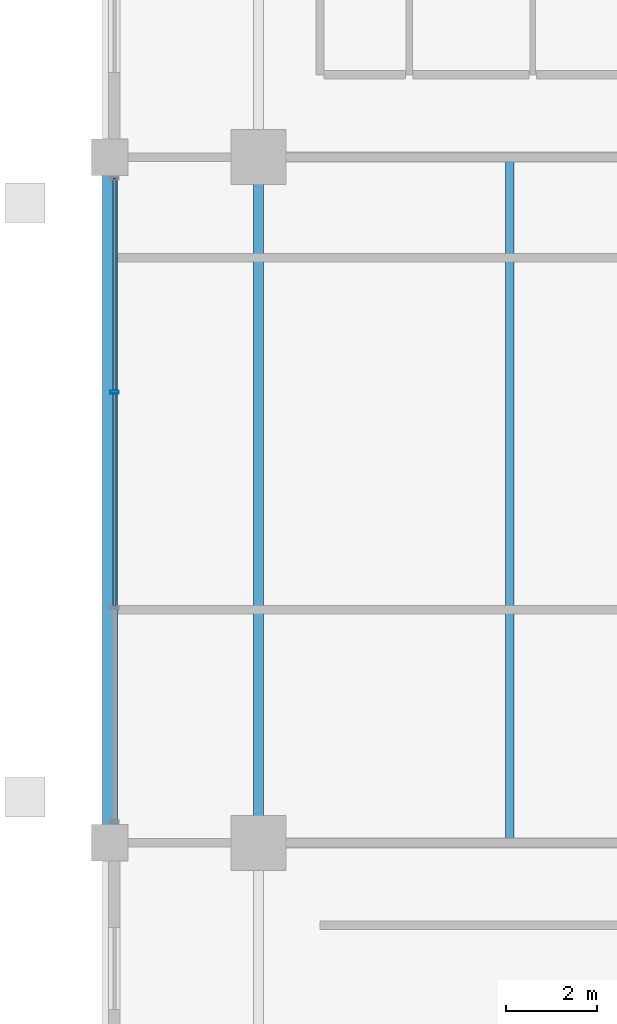
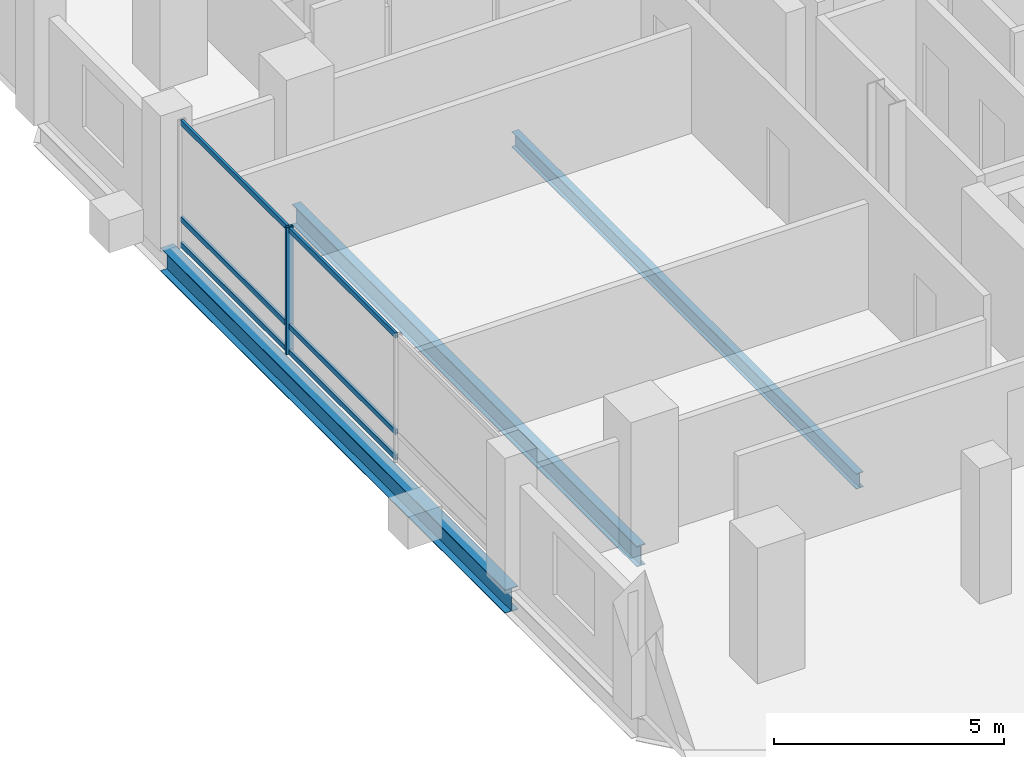
# One storey, part 5 of 19: 7 members, 3 beams, 1 element without a shape of its own.
"""IFC4 building model written with IfcOpenShell, lengths in metres."""

import ifcopenshell
import ifcopenshell.guid

model = None  # the IFC model being written
_history = None  # IfcOwnerHistory: only IFC2X3 demands one
_inside = {}  # id of a spatial element -> (the spatial element, [elements in it])
_under = {}  # id of a project, library or spatial element -> (it, [spatial elements below it])
_declared = {}  # id of a project -> (the project, [libraries it declares])
_typed = {}  # id of a type object -> (the type object, [elements of that type])
_made_of = {}  # id of a material, layer set ... -> (it, [elements and type objects made of it])


def new_model(schema):
    """Start an empty IFC model of exactly this schema.

    Asked for "IFC4X3", IfcOpenShell would pick the latest addendum, in which some entities
    have other attributes; the version numbers below select the first issue.
    IFC2X3 requires an IfcOwnerHistory on every rooted entity: one is made here for all.
    """
    global model, _history
    if schema == "IFC4X3":
        model = ifcopenshell.file(schema_version=(4, 3, 0, 0))
    else:
        model = ifcopenshell.file(schema=schema)
    _inside.clear()
    _under.clear()
    _declared.clear()
    _typed.clear()
    _made_of.clear()
    _history = None
    if model.schema == "IFC2X3":
        org = make("IfcOrganization", Name="unknown")
        user = make(
            "IfcPersonAndOrganization",
            ThePerson=make("IfcPerson", FamilyName="unknown"),
            TheOrganization=org,
        )
        app = make(
            "IfcApplication",
            ApplicationDeveloper=org,
            Version="unknown",
            ApplicationFullName="unknown",
            ApplicationIdentifier="unknown",
        )
        _history = make(
            "IfcOwnerHistory",
            OwningUser=user,
            OwningApplication=app,
            ChangeAction="ADDED",
            CreationDate=0,
        )
    return model


def make(cls, **values):
    """One entity of the class cls with the attributes given. An attribute that is None is left unset."""
    return model.create_entity(
        cls, **{name: value for name, value in values.items() if value is not None}
    )


def rooted(cls, **values):
    """An entity with a GlobalId (a new one), such as an element, a storey or a relation."""
    return make(cls, GlobalId=ifcopenshell.guid.new(), OwnerHistory=_history, **values)


def si_unit(unit_type, name, prefix=None):
    """IfcSIUnit, for example si_unit("LENGTHUNIT", "METRE", prefix="MILLI")."""
    return make("IfcSIUnit", UnitType=unit_type, Prefix=prefix, Name=name)


def assignment(units):
    """IfcUnitAssignment: the units of a project."""
    return None if units is None else make("IfcUnitAssignment", Units=units)


def point(xyz):
    """IfcCartesianPoint."""
    return None if xyz is None else make("IfcCartesianPoint", Coordinates=xyz)


def direction(xyz):
    """IfcDirection."""
    return None if xyz is None else make("IfcDirection", DirectionRatios=xyz)


def frame(location, z_axis=None, x_axis=None):
    """IfcAxis2Placement3D, a coordinate frame: its origin and axes. An axis left out is left unset."""
    return make(
        "IfcAxis2Placement3D",
        Location=point(location),
        Axis=direction(z_axis),
        RefDirection=direction(x_axis),
    )


def frame_2d(location, x_axis=None):
    """IfcAxis2Placement2D, a coordinate frame in the plane: its origin and x axis."""
    return make(
        "IfcAxis2Placement2D", Location=point(location), RefDirection=direction(x_axis)
    )


def origin():
    """The frame at (0, 0, 0) with its axes left unset."""
    return frame((0.0, 0.0, 0.0))


def origin_2d():
    """The frame at (0, 0) in the plane with its x axis left unset."""
    return frame_2d((0.0, 0.0))


def place(relative_to, where):
    """IfcLocalPlacement: puts the frame where relative to a parent placement (None: the world)."""
    return make(
        "IfcLocalPlacement", PlacementRelTo=relative_to, RelativePlacement=where
    )


def context(
    kind, dimensions, precision=None, world=None, true_north=None, identifier=None
):
    """IfcGeometricRepresentationContext, for example the 3D "Model" context."""
    return make(
        "IfcGeometricRepresentationContext",
        ContextIdentifier=identifier,
        ContextType=kind,
        CoordinateSpaceDimension=dimensions,
        Precision=precision,
        WorldCoordinateSystem=world,
        TrueNorth=true_north,
    )


def subcontext(parent, identifier, kind, view, scale=None):
    """IfcGeometricRepresentationSubContext, for example "Body" below "Model"."""
    return make(
        "IfcGeometricRepresentationSubContext",
        ContextIdentifier=identifier,
        ContextType=kind,
        ParentContext=parent,
        TargetScale=scale,
        TargetView=view,
    )


def project(units=None, contexts=None):
    """IfcProject with its units and contexts."""
    return rooted(
        "IfcProject",
        Name="project",
        RepresentationContexts=contexts,
        UnitsInContext=assignment(units),
    )


def spatial(cls, under=None, at=None, **own):
    """A site, building, storey or space (cls), placed at a placement, below another one or the project."""
    s = rooted(cls, ObjectPlacement=at, **own)
    if under is not None:
        _under.setdefault(under.id(), (under, []))[1].append(s)
    return s


def profile(cls, at=None, kind="AREA", **sizes):
    """A parametric profile (cls). Its sizes go by their IFC names, for example OverallWidth=200.0."""
    return make(cls, ProfileType=kind, Position=at, **sizes)


def hollow_rectangle(**sizes):
    """IfcRectangleHollowProfileDef."""
    return profile("IfcRectangleHollowProfileDef", **sizes)


def i_section(**sizes):
    """IfcIShapeProfileDef."""
    return profile("IfcIShapeProfileDef", **sizes)


def extrude(swept, where, along, depth):
    """IfcExtrudedAreaSolid: the profile swept, set in the frame where, extruded along a direction by depth."""
    return make(
        "IfcExtrudedAreaSolid",
        SweptArea=swept,
        Position=where,
        ExtrudedDirection=direction(along),
        Depth=depth,
    )


def shape(context_of_items, identifier, shape_type, items):
    """IfcShapeRepresentation: the items that make up one representation, for example the "Body"."""
    return make(
        "IfcShapeRepresentation",
        ContextOfItems=context_of_items,
        RepresentationIdentifier=identifier,
        RepresentationType=shape_type,
        Items=items,
    )


def material(Name=None, Category=None):
    """IfcMaterial."""
    return make("IfcMaterial", Name=Name, Category=Category)


def layer(
    of_material, thickness, ventilated=None, Name=None, Category=None, Priority=None
):
    """IfcMaterialLayer: one layer of a wall or slab, of a material (None: an air gap)."""
    return make(
        "IfcMaterialLayer",
        Material=of_material,
        LayerThickness=thickness,
        IsVentilated=ventilated,
        Name=Name,
        Category=Category,
        Priority=Priority,
    )


def layer_set(layers, Name=None):
    """IfcMaterialLayerSet."""
    return make("IfcMaterialLayerSet", MaterialLayers=layers, LayerSetName=Name)


def material_profile(
    of_material, cross_section, Name=None, Category=None, Priority=None
):
    """IfcMaterialProfile: a cross section and its material."""
    return make(
        "IfcMaterialProfile",
        Name=Name,
        Material=of_material,
        Profile=cross_section,
        Priority=Priority,
        Category=Category,
    )


def profile_set(profiles, Name=None, composite=None):
    """IfcMaterialProfileSet."""
    return make(
        "IfcMaterialProfileSet",
        Name=Name,
        MaterialProfiles=profiles,
        CompositeProfile=composite,
    )


def made_of(thing, what):
    """Note that an element or type object is made of a material, layer set ...; save() writes the relation."""
    if what is not None:
        _made_of.setdefault(what.id(), (what, []))[1].append(thing)
    return thing


def type_object(cls, material=None, **own):
    """A type object (cls), such as IfcWallType, which elements share."""
    return made_of(rooted(cls, **own), material)


def element(
    cls,
    number,
    at=None,
    inside=None,
    cuts=None,
    type_object=None,
    material=None,
    context=None,
    identifier="Body",
    shape_type=None,
    held_by="IfcProductDefinitionShape",
    body=None,
    shapes=None,
    **own,
):
    """One element of the class cls, such as IfcWall. Its Tag is "e" and its number.

    at: its placement. inside: the storey or other place that contains it. cuts: it is an
    opening in that element (IfcRelVoidsElement). A single representation is given by context,
    identifier, shape_type and body (its items); several are given by shapes. held_by: the class
    of the entity that holds the representations. save() writes the other relations.
    """
    e = rooted(cls, Tag="e%d" % number, ObjectPlacement=at, **own)
    if body is not None:
        shapes = [shape(context, identifier, shape_type, body)]
    if shapes is not None:
        e.Representation = make(held_by, Representations=shapes)
    if inside is not None:
        _inside.setdefault(inside.id(), (inside, []))[1].append(e)
    if cuts is not None:
        rooted(
            "IfcRelVoidsElement", RelatingBuildingElement=cuts, RelatedOpeningElement=e
        )
    if type_object is not None:
        _typed.setdefault(type_object.id(), (type_object, []))[1].append(e)
    return made_of(e, material)


def aggregate(whole, parts):
    """IfcRelAggregates: a whole, such as a stair, and the parts it consists of."""
    return rooted("IfcRelAggregates", RelatingObject=whole, RelatedObjects=parts)


def save(model, path):
    """Write the relations noted so far, then the file.

    IfcRelAggregates (storeys below a building ...), IfcRelContainedInSpatialStructure (elements
    in a storey), IfcRelDefinesByType, IfcRelAssociatesMaterial and IfcRelDeclares: one each for
    every whole, place, type object, material and project.
    """
    for whole, parts in _under.values():
        aggregate(whole, parts)
    for where, things in _inside.values():
        rooted(
            "IfcRelContainedInSpatialStructure",
            RelatedElements=things,
            RelatingStructure=where,
        )
    for kind, things in _typed.values():
        rooted("IfcRelDefinesByType", RelatedObjects=things, RelatingType=kind)
    for what, things in _made_of.values():
        rooted("IfcRelAssociatesMaterial", RelatedObjects=things, RelatingMaterial=what)
    for by, libraries in _declared.values():
        rooted("IfcRelDeclares", RelatingContext=by, RelatedDefinitions=libraries)
    model.write(path)


model = new_model("IFC4")

# Units and contexts
model_context = context("Model", 3, precision=1e-05, world=origin(), true_north=direction((0.0, 1.0)))
body_context = subcontext(model_context, "Body", "Model", "MODEL_VIEW")
ifc_project = project(units=[si_unit("LENGTHUNIT", "METRE"), si_unit("AREAUNIT", "SQUARE_METRE"), si_unit("VOLUMEUNIT", "CUBIC_METRE"), si_unit("PLANEANGLEUNIT", "RADIAN"), si_unit("MASSUNIT", "GRAM", prefix="KILO")], contexts=[model_context])

# Site, building, storey
site_placement = place(None, origin())
site = spatial("IfcSite", under=ifc_project, at=site_placement, CompositionType="ELEMENT")
building_placement = place(site_placement, origin())
building = spatial("IfcBuilding", under=site, at=building_placement, Name="Barlavira Tower and Art Museum", CompositionType="ELEMENT")
storey_placement = place(building_placement, frame((0.0, 0.0, 113.39990234375)))
storey = spatial("IfcBuildingStorey", under=building, at=storey_placement, Name="L28", CompositionType="ELEMENT", Elevation=113.39990234375)

# Curtain wall, members
ifc_material_1 = material(Name="Low-iron coastal laminated glass", Category="glass")
ifc_layer = layer(ifc_material_1, 0.18994140625, Name="Low-iron coastal laminated glass")
ifc_layer_set = layer_set([ifc_layer], Name="Low-iron coastal laminated glass")
curtain_wall_type = type_object("IfcCurtainWallType", Name="Pale-Metal Unitised Curtain Wall Zone 2", PredefinedType="NOTDEFINED", material=ifc_layer_set)
curtain_wall_placement = place(storey_placement, origin())
curtain_wall = element("IfcCurtainWall", 1, at=curtain_wall_placement, inside=storey, type_object=curtain_wall_type, Name="L28 Curtain Wall CW2-L28-W-B3", PredefinedType="NOTDEFINED")
ifc_material_2 = material(Name="Pale anodised aluminium", Category="aluminium")
ifc_material_profile_1 = material_profile(ifc_material_2, hollow_rectangle(XDim=0.06494140625, YDim=0.179931640625, WallThickness=0.00390625, at=origin_2d()), Name="ALU-MULL 65x180x4")
ifc_profile_set_1 = profile_set([ifc_material_profile_1], Name="Pale anodised aluminium")
member_type_1 = type_object("IfcMemberType", Name="Curtain Wall Pale-Metal Mullion 65x180", PredefinedType="MULLION", material=ifc_profile_set_1)
member_1_placement = place(storey_placement, frame((-20.14990234375, 2.360107421875, 0.0), z_axis=(0.0, 0.0, 1.0), x_axis=(0.0, -1.0, 0.0)))
member_1 = element("IfcMember", 2, at=member_1_placement, type_object=member_type_1, Name="CW2-L28-W-B3 Mullion 1", PredefinedType="MULLION", context=body_context, shape_type="SweptSolid", body=[
    extrude(hollow_rectangle(XDim=0.06494140625, YDim=0.179931640625, WallThickness=0.00390625, at=origin_2d()), origin(), (0.0, 0.0, 1.0), 3.380126953125),
])
ifc_material_profile_2 = material_profile(ifc_material_2, hollow_rectangle(XDim=0.06494140625, YDim=0.139892578125, WallThickness=0.00390625, at=origin_2d()), Name="ALU-TRAN 65x140x4")
ifc_profile_set_2 = profile_set([ifc_material_profile_2], Name="Pale anodised aluminium")
member_type_2 = type_object("IfcMemberType", Name="Curtain Wall Pale-Metal Transom 65x140", PredefinedType="USERDEFINED", material=ifc_profile_set_2)
member_2_placement = place(storey_placement, frame((-20.14990234375, 7.034912109375, 0.070068359375), z_axis=(0.0, -1.0, 0.0), x_axis=(1.0, 0.0, 0.0)))
member_2 = element("IfcMember", 3, at=member_2_placement, type_object=member_type_2, Name="CW2-L28-W-B3 Transom 0.1", ObjectType="TRANSOM", PredefinedType="USERDEFINED", context=body_context, shape_type="SweptSolid", body=[
    extrude(hollow_rectangle(XDim=0.06494140625, YDim=0.139892578125, WallThickness=0.00390625, at=origin_2d()), origin(), (0.0, 0.0, 1.0), 4.6298828125),
])
member_3_placement = place(storey_placement, frame((-20.14990234375, 7.034912109375, 0.744140625), z_axis=(0.0, -1.0, 0.0), x_axis=(1.0, 0.0, 0.0)))
member_3 = element("IfcMember", 4, at=member_3_placement, type_object=member_type_2, Name="CW2-L28-W-B3 Transom 0.2", ObjectType="TRANSOM", PredefinedType="USERDEFINED", context=body_context, shape_type="SweptSolid", body=[
    extrude(hollow_rectangle(XDim=0.06494140625, YDim=0.139892578125, WallThickness=0.00390625, at=origin_2d()), origin(), (0.0, 0.0, 1.0), 4.6298828125),
])
member_4_placement = place(storey_placement, frame((-20.14990234375, 7.034912109375, 3.31005859375), z_axis=(0.0, -1.0, 0.0), x_axis=(1.0, 0.0, 0.0)))
member_4 = element("IfcMember", 5, at=member_4_placement, type_object=member_type_2, Name="CW2-L28-W-B3 Transom 0.3", ObjectType="TRANSOM", PredefinedType="USERDEFINED", context=body_context, shape_type="SweptSolid", body=[
    extrude(hollow_rectangle(XDim=0.06494140625, YDim=0.139892578125, WallThickness=0.00390625, at=origin_2d()), origin(), (0.0, 0.0, 1.0), 4.6298828125),
])
member_5_placement = place(storey_placement, frame((-20.14990234375, 2.31494140625, 0.070068359375), z_axis=(0.0, -1.0, 0.0), x_axis=(1.0, 0.0, 0.0)))
member_5 = element("IfcMember", 6, at=member_5_placement, type_object=member_type_2, Name="CW2-L28-W-B3 Transom 1.1", ObjectType="TRANSOM", PredefinedType="USERDEFINED", context=body_context, shape_type="SweptSolid", body=[
    extrude(hollow_rectangle(XDim=0.06494140625, YDim=0.139892578125, WallThickness=0.00390625, at=origin_2d()), origin(), (0.0, 0.0, 1.0), 4.6298828125),
])
member_6_placement = place(storey_placement, frame((-20.14990234375, 2.31494140625, 0.744140625), z_axis=(0.0, -1.0, 0.0), x_axis=(1.0, 0.0, 0.0)))
member_6 = element("IfcMember", 7, at=member_6_placement, type_object=member_type_2, Name="CW2-L28-W-B3 Transom 1.2", ObjectType="TRANSOM", PredefinedType="USERDEFINED", context=body_context, shape_type="SweptSolid", body=[
    extrude(hollow_rectangle(XDim=0.06494140625, YDim=0.139892578125, WallThickness=0.00390625, at=origin_2d()), origin(), (0.0, 0.0, 1.0), 4.6298828125),
])
member_7_placement = place(storey_placement, frame((-20.14990234375, 2.31494140625, 3.31005859375), z_axis=(0.0, -1.0, 0.0), x_axis=(1.0, 0.0, 0.0)))
member_7 = element("IfcMember", 8, at=member_7_placement, type_object=member_type_2, Name="CW2-L28-W-B3 Transom 1.3", ObjectType="TRANSOM", PredefinedType="USERDEFINED", context=body_context, shape_type="SweptSolid", body=[
    extrude(hollow_rectangle(XDim=0.06494140625, YDim=0.139892578125, WallThickness=0.00390625, at=origin_2d()), origin(), (0.0, 0.0, 1.0), 4.6298828125),
])
aggregate(curtain_wall, [member_1, member_2, member_3, member_4, member_5, member_6, member_7])

# Beams
ifc_material_3 = material(Name="Steel S355", Category="steel")
ifc_material_profile_3 = material_profile(ifc_material_3, i_section(OverallWidth=0.327880859375, OverallDepth=0.62890625, WebThickness=0.013916015625, FlangeThickness=0.021484375, at=origin_2d()), Name="W610x174.0")
ifc_profile_set_3 = profile_set([ifc_material_profile_3], Name="Steel S355")
beam_type_1 = type_object("IfcBeamType", Name="Perimeter Spandrel Edge Beam W610x174 Steel S355", PredefinedType="SPANDREL", material=ifc_profile_set_3)
beam_1_placement = place(storey_placement, frame((-20.25, -7.5, -0.534423828125), z_axis=(0.0, 1.0, 0.0), x_axis=(-1.0, 0.0, 0.0)))
element("IfcBeam", 9, at=beam_1_placement, inside=storey, type_object=beam_type_1, Name="L28 Spandrel 14", PredefinedType="SPANDREL", context=body_context, shape_type="SweptSolid", body=[
    extrude(i_section(OverallWidth=0.327880859375, OverallDepth=0.62890625, WebThickness=0.013916015625, FlangeThickness=0.021484375, at=origin_2d()), origin(), (0.0, 0.0, 1.0), 15.0),
])
ifc_material_profile_4 = material_profile(ifc_material_3, i_section(OverallWidth=0.214111328125, OverallDepth=0.549072265625, WebThickness=0.0146484375, FlangeThickness=0.023681640625, at=origin_2d()), Name="W530x138.0")
ifc_profile_set_4 = profile_set([ifc_material_profile_4], Name="Steel S355")
beam_type_2 = type_object("IfcBeamType", Name="Zone 1 Primary Floor Girder W530x138 Steel S355", PredefinedType="BEAM", material=ifc_profile_set_4)
beam_2_placement = place(storey_placement, frame((-17.0, -7.5, -0.494384765625), z_axis=(0.0, 1.0, 0.0), x_axis=(-1.0, 0.0, 0.0)))
element("IfcBeam", 10, at=beam_2_placement, inside=storey, type_object=beam_type_2, Name="L28 Girder M-W2", PredefinedType="BEAM", context=body_context, shape_type="SweptSolid", body=[
    extrude(i_section(OverallWidth=0.214111328125, OverallDepth=0.549072265625, WebThickness=0.0146484375, FlangeThickness=0.023681640625, at=origin_2d()), origin(), (0.0, 0.0, 1.0), 15.0),
])
ifc_material_profile_5 = material_profile(ifc_material_3, i_section(OverallWidth=0.179931640625, OverallDepth=0.4130859375, WebThickness=0.009765625, FlangeThickness=0.01611328125, at=origin_2d()), Name="W410x75.0")
ifc_profile_set_5 = profile_set([ifc_material_profile_5], Name="Steel S355")
beam_type_3 = type_object("IfcBeamType", Name="Zone 2 Composite Floor Joist W410x75 Steel S355", PredefinedType="JOIST", material=ifc_profile_set_5)
beam_3_placement = place(storey_placement, frame((-11.5, -7.5, -0.426513671875), z_axis=(0.0, 1.0, 0.0), x_axis=(-1.0, 0.0, 0.0)))
element("IfcBeam", 11, at=beam_3_placement, inside=storey, type_object=beam_type_3, Name="L28 Joist W1", PredefinedType="JOIST", context=body_context, shape_type="SweptSolid", body=[
    extrude(i_section(OverallWidth=0.179931640625, OverallDepth=0.4130859375, WebThickness=0.009765625, FlangeThickness=0.01611328125, at=origin_2d()), origin(), (0.0, 0.0, 1.0), 15.0),
])

save(model, "model.ifc")
